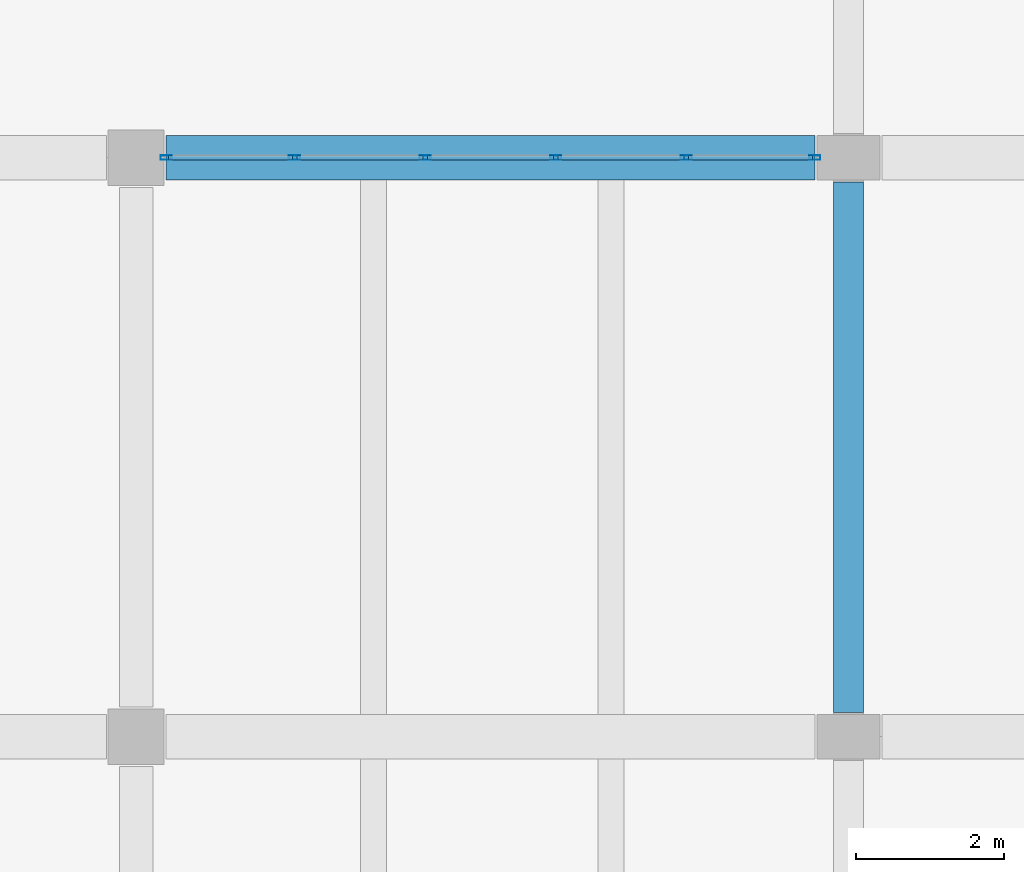
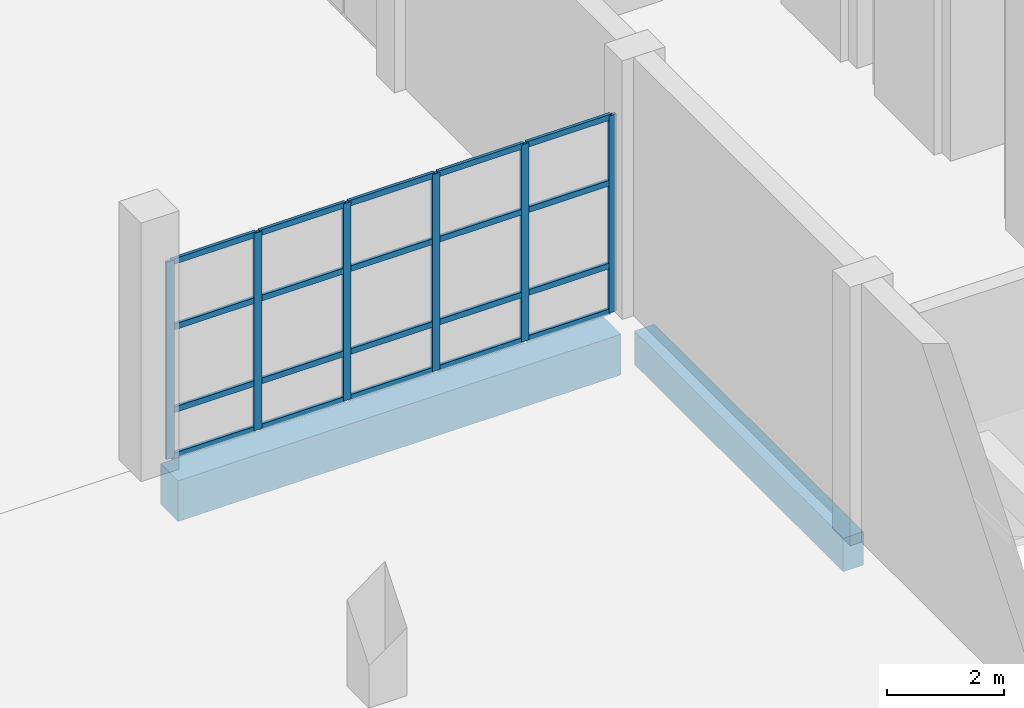
# One storey, part 34 of 78: 26 members, 2 beams, 1 element without a shape of its own.
"""IFC4 building model written with IfcOpenShell, lengths in metres."""

import ifcopenshell
import ifcopenshell.guid

model = None  # the IFC model being written
_history = None  # IfcOwnerHistory: only IFC2X3 demands one
_inside = {}  # id of a spatial element -> (the spatial element, [elements in it])
_under = {}  # id of a project, library or spatial element -> (it, [spatial elements below it])
_declared = {}  # id of a project -> (the project, [libraries it declares])
_typed = {}  # id of a type object -> (the type object, [elements of that type])
_made_of = {}  # id of a material, layer set ... -> (it, [elements and type objects made of it])


def new_model(schema):
    """Start an empty IFC model of exactly this schema.

    Asked for "IFC4X3", IfcOpenShell would pick the latest addendum, in which some entities
    have other attributes; the version numbers below select the first issue.
    IFC2X3 requires an IfcOwnerHistory on every rooted entity: one is made here for all.
    """
    global model, _history
    if schema == "IFC4X3":
        model = ifcopenshell.file(schema_version=(4, 3, 0, 0))
    else:
        model = ifcopenshell.file(schema=schema)
    _inside.clear()
    _under.clear()
    _declared.clear()
    _typed.clear()
    _made_of.clear()
    _history = None
    if model.schema == "IFC2X3":
        org = make("IfcOrganization", Name="unknown")
        user = make(
            "IfcPersonAndOrganization",
            ThePerson=make("IfcPerson", FamilyName="unknown"),
            TheOrganization=org,
        )
        app = make(
            "IfcApplication",
            ApplicationDeveloper=org,
            Version="unknown",
            ApplicationFullName="unknown",
            ApplicationIdentifier="unknown",
        )
        _history = make(
            "IfcOwnerHistory",
            OwningUser=user,
            OwningApplication=app,
            ChangeAction="ADDED",
            CreationDate=0,
        )
    return model


def make(cls, **values):
    """One entity of the class cls with the attributes given. An attribute that is None is left unset."""
    return model.create_entity(
        cls, **{name: value for name, value in values.items() if value is not None}
    )


def rooted(cls, **values):
    """An entity with a GlobalId (a new one), such as an element, a storey or a relation."""
    return make(cls, GlobalId=ifcopenshell.guid.new(), OwnerHistory=_history, **values)


def si_unit(unit_type, name, prefix=None):
    """IfcSIUnit, for example si_unit("LENGTHUNIT", "METRE", prefix="MILLI")."""
    return make("IfcSIUnit", UnitType=unit_type, Prefix=prefix, Name=name)


def assignment(units):
    """IfcUnitAssignment: the units of a project."""
    return None if units is None else make("IfcUnitAssignment", Units=units)


def point(xyz):
    """IfcCartesianPoint."""
    return None if xyz is None else make("IfcCartesianPoint", Coordinates=xyz)


def direction(xyz):
    """IfcDirection."""
    return None if xyz is None else make("IfcDirection", DirectionRatios=xyz)


def frame(location, z_axis=None, x_axis=None):
    """IfcAxis2Placement3D, a coordinate frame: its origin and axes. An axis left out is left unset."""
    return make(
        "IfcAxis2Placement3D",
        Location=point(location),
        Axis=direction(z_axis),
        RefDirection=direction(x_axis),
    )


def frame_2d(location, x_axis=None):
    """IfcAxis2Placement2D, a coordinate frame in the plane: its origin and x axis."""
    return make(
        "IfcAxis2Placement2D", Location=point(location), RefDirection=direction(x_axis)
    )


def origin():
    """The frame at (0, 0, 0) with its axes left unset."""
    return frame((0.0, 0.0, 0.0))


def origin_2d():
    """The frame at (0, 0) in the plane with its x axis left unset."""
    return frame_2d((0.0, 0.0))


def place(relative_to, where):
    """IfcLocalPlacement: puts the frame where relative to a parent placement (None: the world)."""
    return make(
        "IfcLocalPlacement", PlacementRelTo=relative_to, RelativePlacement=where
    )


def context(
    kind, dimensions, precision=None, world=None, true_north=None, identifier=None
):
    """IfcGeometricRepresentationContext, for example the 3D "Model" context."""
    return make(
        "IfcGeometricRepresentationContext",
        ContextIdentifier=identifier,
        ContextType=kind,
        CoordinateSpaceDimension=dimensions,
        Precision=precision,
        WorldCoordinateSystem=world,
        TrueNorth=true_north,
    )


def subcontext(parent, identifier, kind, view, scale=None):
    """IfcGeometricRepresentationSubContext, for example "Body" below "Model"."""
    return make(
        "IfcGeometricRepresentationSubContext",
        ContextIdentifier=identifier,
        ContextType=kind,
        ParentContext=parent,
        TargetScale=scale,
        TargetView=view,
    )


def project(units=None, contexts=None):
    """IfcProject with its units and contexts."""
    return rooted(
        "IfcProject",
        Name="project",
        RepresentationContexts=contexts,
        UnitsInContext=assignment(units),
    )


def spatial(cls, under=None, at=None, **own):
    """A site, building, storey or space (cls), placed at a placement, below another one or the project."""
    s = rooted(cls, ObjectPlacement=at, **own)
    if under is not None:
        _under.setdefault(under.id(), (under, []))[1].append(s)
    return s


def profile(cls, at=None, kind="AREA", **sizes):
    """A parametric profile (cls). Its sizes go by their IFC names, for example OverallWidth=200.0."""
    return make(cls, ProfileType=kind, Position=at, **sizes)


def rectangle(**sizes):
    """IfcRectangleProfileDef."""
    return profile("IfcRectangleProfileDef", **sizes)


def hollow_rectangle(**sizes):
    """IfcRectangleHollowProfileDef."""
    return profile("IfcRectangleHollowProfileDef", **sizes)


def extrude(swept, where, along, depth):
    """IfcExtrudedAreaSolid: the profile swept, set in the frame where, extruded along a direction by depth."""
    return make(
        "IfcExtrudedAreaSolid",
        SweptArea=swept,
        Position=where,
        ExtrudedDirection=direction(along),
        Depth=depth,
    )


def shape(context_of_items, identifier, shape_type, items):
    """IfcShapeRepresentation: the items that make up one representation, for example the "Body"."""
    return make(
        "IfcShapeRepresentation",
        ContextOfItems=context_of_items,
        RepresentationIdentifier=identifier,
        RepresentationType=shape_type,
        Items=items,
    )


def material(Name=None, Category=None):
    """IfcMaterial."""
    return make("IfcMaterial", Name=Name, Category=Category)


def material_profile(
    of_material, cross_section, Name=None, Category=None, Priority=None
):
    """IfcMaterialProfile: a cross section and its material."""
    return make(
        "IfcMaterialProfile",
        Name=Name,
        Material=of_material,
        Profile=cross_section,
        Priority=Priority,
        Category=Category,
    )


def profile_set(profiles, Name=None, composite=None):
    """IfcMaterialProfileSet."""
    return make(
        "IfcMaterialProfileSet",
        Name=Name,
        MaterialProfiles=profiles,
        CompositeProfile=composite,
    )


def made_of(thing, what):
    """Note that an element or type object is made of a material, layer set ...; save() writes the relation."""
    if what is not None:
        _made_of.setdefault(what.id(), (what, []))[1].append(thing)
    return thing


def type_object(cls, material=None, **own):
    """A type object (cls), such as IfcWallType, which elements share."""
    return made_of(rooted(cls, **own), material)


def element(
    cls,
    number,
    at=None,
    inside=None,
    cuts=None,
    type_object=None,
    material=None,
    context=None,
    identifier="Body",
    shape_type=None,
    held_by="IfcProductDefinitionShape",
    body=None,
    shapes=None,
    **own,
):
    """One element of the class cls, such as IfcWall. Its Tag is "e" and its number.

    at: its placement. inside: the storey or other place that contains it. cuts: it is an
    opening in that element (IfcRelVoidsElement). A single representation is given by context,
    identifier, shape_type and body (its items); several are given by shapes. held_by: the class
    of the entity that holds the representations. save() writes the other relations.
    """
    e = rooted(cls, Tag="e%d" % number, ObjectPlacement=at, **own)
    if body is not None:
        shapes = [shape(context, identifier, shape_type, body)]
    if shapes is not None:
        e.Representation = make(held_by, Representations=shapes)
    if inside is not None:
        _inside.setdefault(inside.id(), (inside, []))[1].append(e)
    if cuts is not None:
        rooted(
            "IfcRelVoidsElement", RelatingBuildingElement=cuts, RelatedOpeningElement=e
        )
    if type_object is not None:
        _typed.setdefault(type_object.id(), (type_object, []))[1].append(e)
    return made_of(e, material)


def aggregate(whole, parts):
    """IfcRelAggregates: a whole, such as a stair, and the parts it consists of."""
    return rooted("IfcRelAggregates", RelatingObject=whole, RelatedObjects=parts)


def save(model, path):
    """Write the relations noted so far, then the file.

    IfcRelAggregates (storeys below a building ...), IfcRelContainedInSpatialStructure (elements
    in a storey), IfcRelDefinesByType, IfcRelAssociatesMaterial and IfcRelDeclares: one each for
    every whole, place, type object, material and project.
    """
    for whole, parts in _under.values():
        aggregate(whole, parts)
    for where, things in _inside.values():
        rooted(
            "IfcRelContainedInSpatialStructure",
            RelatedElements=things,
            RelatingStructure=where,
        )
    for kind, things in _typed.values():
        rooted("IfcRelDefinesByType", RelatedObjects=things, RelatingType=kind)
    for what, things in _made_of.values():
        rooted("IfcRelAssociatesMaterial", RelatedObjects=things, RelatingMaterial=what)
    for by, libraries in _declared.values():
        rooted("IfcRelDeclares", RelatingContext=by, RelatedDefinitions=libraries)
    model.write(path)


model = new_model("IFC4")

# Units and contexts
model_context = context("Model", 3, precision=1e-05, world=origin(), true_north=direction((0.0, 1.0)))
body_context = subcontext(model_context, "Body", "Model", "MODEL_VIEW")
ifc_project = project(units=[si_unit("LENGTHUNIT", "METRE"), si_unit("AREAUNIT", "SQUARE_METRE"), si_unit("VOLUMEUNIT", "CUBIC_METRE"), si_unit("PLANEANGLEUNIT", "RADIAN"), si_unit("MASSUNIT", "GRAM", prefix="KILO")], contexts=[model_context])

# Site, building, storey
site_placement = place(None, origin())
site = spatial("IfcSite", under=ifc_project, at=site_placement, CompositionType="ELEMENT")
building_placement = place(site_placement, origin())
building = spatial("IfcBuilding", under=site, at=building_placement, Name="Pellamere Symphony Hall", CompositionType="ELEMENT")
storey_placement = place(building_placement, origin())
storey = spatial("IfcBuildingStorey", under=building, at=storey_placement, Name="L00", CompositionType="ELEMENT", Elevation=0.0)

# Curtain wall, members
ifc_material_1 = material(Name="Thermally Broken Anodised Aluminium 6063-T6 Curtain Wall", Category="aluminium")
curtain_wall_type = type_object("IfcCurtainWallType", Name="Curtain Wall CW-03 (Sculpture Court Glazed Link Curtain Wall)", PredefinedType="NOTDEFINED", material=ifc_material_1)
curtain_wall_placement = place(storey_placement, origin())
curtain_wall = element("IfcCurtainWall", 1, at=curtain_wall_placement, inside=storey, type_object=curtain_wall_type, Name="Sculpture Court Link Curtain Wall (L00 Bay 2)", PredefinedType="NOTDEFINED")
ifc_material_2 = material(Name="Anodised Architectural Aluminium 6063-T6", Category="aluminium")
ifc_material_profile_1 = material_profile(ifc_material_2, hollow_rectangle(XDim=0.06005859375, YDim=0.14990234375, WallThickness=0.00390625, at=origin_2d()), Name="ALU-M60X150X4")
ifc_profile_set_1 = profile_set([ifc_material_profile_1], Name="Anodised Architectural Aluminium 6063-T6")
member_type_1 = type_object("IfcMemberType", Name="Curtain Wall Mullion ML-03 ALU-M60X150X4", PredefinedType="MULLION", material=ifc_profile_set_1)
member_1_placement = place(storey_placement, frame((128.804931640625, 54.0, 0.0), z_axis=(0.0, 0.0, 1.0), x_axis=(0.0, 1.0, 0.0)))
member_1 = element("IfcMember", 2, at=member_1_placement, type_object=member_type_1, Name="CW3-102 crystal mullion 1", PredefinedType="MULLION", context=body_context, shape_type="SweptSolid", body=[
    extrude(hollow_rectangle(XDim=0.06005859375, YDim=0.14990234375, WallThickness=0.00390625, at=origin_2d()), origin(), (0.0, 0.0, 1.0), 4.1201171875),
])
member_2_placement = place(storey_placement, frame((130.534912109375, 54.0, 0.0), z_axis=(0.0, 0.0, 1.0), x_axis=(0.0, 1.0, 0.0)))
member_2 = element("IfcMember", 3, at=member_2_placement, type_object=member_type_1, Name="CW3-102 crystal mullion 2", PredefinedType="MULLION", context=body_context, shape_type="SweptSolid", body=[
    extrude(hollow_rectangle(XDim=0.06005859375, YDim=0.14990234375, WallThickness=0.00390625, at=origin_2d()), origin(), (0.0, 0.0, 1.0), 4.1201171875),
])
member_3_placement = place(storey_placement, frame((132.294921875, 54.0, 0.0), z_axis=(0.0, 0.0, 1.0), x_axis=(0.0, 1.0, 0.0)))
member_3 = element("IfcMember", 4, at=member_3_placement, type_object=member_type_1, Name="CW3-102 crystal mullion 3", PredefinedType="MULLION", context=body_context, shape_type="SweptSolid", body=[
    extrude(hollow_rectangle(XDim=0.06005859375, YDim=0.14990234375, WallThickness=0.00390625, at=origin_2d()), origin(), (0.0, 0.0, 1.0), 4.1201171875),
])
member_4_placement = place(storey_placement, frame((134.054931640625, 54.0, 0.0), z_axis=(0.0, 0.0, 1.0), x_axis=(0.0, 1.0, 0.0)))
member_4 = element("IfcMember", 5, at=member_4_placement, type_object=member_type_1, Name="CW3-102 crystal mullion 4", PredefinedType="MULLION", context=body_context, shape_type="SweptSolid", body=[
    extrude(hollow_rectangle(XDim=0.06005859375, YDim=0.14990234375, WallThickness=0.00390625, at=origin_2d()), origin(), (0.0, 0.0, 1.0), 4.1201171875),
])
member_5_placement = place(storey_placement, frame((135.81494140625, 54.0, 0.0), z_axis=(0.0, 0.0, 1.0), x_axis=(0.0, 1.0, 0.0)))
member_5 = element("IfcMember", 6, at=member_5_placement, type_object=member_type_1, Name="CW3-102 crystal mullion 5", PredefinedType="MULLION", context=body_context, shape_type="SweptSolid", body=[
    extrude(hollow_rectangle(XDim=0.06005859375, YDim=0.14990234375, WallThickness=0.00390625, at=origin_2d()), origin(), (0.0, 0.0, 1.0), 4.1201171875),
])
member_6_placement = place(storey_placement, frame((137.544921875, 54.0, 0.0), z_axis=(0.0, 0.0, 1.0), x_axis=(0.0, 1.0, 0.0)))
member_6 = element("IfcMember", 7, at=member_6_placement, type_object=member_type_1, Name="CW3-102 crystal mullion 6", PredefinedType="MULLION", context=body_context, shape_type="SweptSolid", body=[
    extrude(hollow_rectangle(XDim=0.06005859375, YDim=0.14990234375, WallThickness=0.00390625, at=origin_2d()), origin(), (0.0, 0.0, 1.0), 4.1201171875),
])
ifc_material_profile_2 = material_profile(ifc_material_2, hollow_rectangle(XDim=0.06005859375, YDim=0.1201171875, WallThickness=0.00390625, at=origin_2d()), Name="ALU-T60X120X4")
ifc_profile_set_2 = profile_set([ifc_material_profile_2], Name="Anodised Architectural Aluminium 6063-T6")
member_type_2 = type_object("IfcMemberType", Name="Curtain Wall Transom TR-03 ALU-T60X120X4", PredefinedType="USERDEFINED", material=ifc_profile_set_2)
member_7_placement = place(storey_placement, frame((128.8349609375, 54.0, 0.030029296875), z_axis=(1.0, 0.0, 0.0), x_axis=(0.0, 1.0, 0.0)))
member_7 = element("IfcMember", 8, at=member_7_placement, type_object=member_type_2, Name="CW3-102 crystal transom 1.1", ObjectType="TRANSOM", PredefinedType="USERDEFINED", context=body_context, shape_type="SweptSolid", body=[
    extrude(hollow_rectangle(XDim=0.06005859375, YDim=0.1201171875, WallThickness=0.00390625, at=origin_2d()), origin(), (0.0, 0.0, 1.0), 1.669921875),
])
member_8_placement = place(storey_placement, frame((128.8349609375, 54.0, 0.98876953125), z_axis=(1.0, 0.0, 0.0), x_axis=(0.0, 1.0, 0.0)))
member_8 = element("IfcMember", 9, at=member_8_placement, type_object=member_type_2, Name="CW3-102 crystal transom 1.2", ObjectType="TRANSOM", PredefinedType="USERDEFINED", context=body_context, shape_type="SweptSolid", body=[
    extrude(hollow_rectangle(XDim=0.06005859375, YDim=0.1201171875, WallThickness=0.00390625, at=origin_2d()), origin(), (0.0, 0.0, 1.0), 1.669921875),
])
member_9_placement = place(storey_placement, frame((128.8349609375, 54.0, 2.71923828125), z_axis=(1.0, 0.0, 0.0), x_axis=(0.0, 1.0, 0.0)))
member_9 = element("IfcMember", 10, at=member_9_placement, type_object=member_type_2, Name="CW3-102 crystal transom 1.3", ObjectType="TRANSOM", PredefinedType="USERDEFINED", context=body_context, shape_type="SweptSolid", body=[
    extrude(hollow_rectangle(XDim=0.06005859375, YDim=0.1201171875, WallThickness=0.00390625, at=origin_2d()), origin(), (0.0, 0.0, 1.0), 1.669921875),
])
member_10_placement = place(storey_placement, frame((128.8349609375, 54.0, 4.090087890625), z_axis=(1.0, 0.0, 0.0), x_axis=(0.0, 1.0, 0.0)))
member_10 = element("IfcMember", 11, at=member_10_placement, type_object=member_type_2, Name="CW3-102 crystal transom 1.4", ObjectType="TRANSOM", PredefinedType="USERDEFINED", context=body_context, shape_type="SweptSolid", body=[
    extrude(hollow_rectangle(XDim=0.06005859375, YDim=0.1201171875, WallThickness=0.00390625, at=origin_2d()), origin(), (0.0, 0.0, 1.0), 1.669921875),
])
member_11_placement = place(storey_placement, frame((130.56494140625, 54.0, 0.030029296875), z_axis=(1.0, 0.0, 0.0), x_axis=(0.0, 1.0, 0.0)))
member_11 = element("IfcMember", 12, at=member_11_placement, type_object=member_type_2, Name="CW3-102 crystal transom 2.1", ObjectType="TRANSOM", PredefinedType="USERDEFINED", context=body_context, shape_type="SweptSolid", body=[
    extrude(hollow_rectangle(XDim=0.06005859375, YDim=0.1201171875, WallThickness=0.00390625, at=origin_2d()), origin(), (0.0, 0.0, 1.0), 1.699951171875),
])
member_12_placement = place(storey_placement, frame((130.56494140625, 54.0, 0.98876953125), z_axis=(1.0, 0.0, 0.0), x_axis=(0.0, 1.0, 0.0)))
member_12 = element("IfcMember", 13, at=member_12_placement, type_object=member_type_2, Name="CW3-102 crystal transom 2.2", ObjectType="TRANSOM", PredefinedType="USERDEFINED", context=body_context, shape_type="SweptSolid", body=[
    extrude(hollow_rectangle(XDim=0.06005859375, YDim=0.1201171875, WallThickness=0.00390625, at=origin_2d()), origin(), (0.0, 0.0, 1.0), 1.699951171875),
])
member_13_placement = place(storey_placement, frame((130.56494140625, 54.0, 2.71923828125), z_axis=(1.0, 0.0, 0.0), x_axis=(0.0, 1.0, 0.0)))
member_13 = element("IfcMember", 14, at=member_13_placement, type_object=member_type_2, Name="CW3-102 crystal transom 2.3", ObjectType="TRANSOM", PredefinedType="USERDEFINED", context=body_context, shape_type="SweptSolid", body=[
    extrude(hollow_rectangle(XDim=0.06005859375, YDim=0.1201171875, WallThickness=0.00390625, at=origin_2d()), origin(), (0.0, 0.0, 1.0), 1.699951171875),
])
member_14_placement = place(storey_placement, frame((130.56494140625, 54.0, 4.090087890625), z_axis=(1.0, 0.0, 0.0), x_axis=(0.0, 1.0, 0.0)))
member_14 = element("IfcMember", 15, at=member_14_placement, type_object=member_type_2, Name="CW3-102 crystal transom 2.4", ObjectType="TRANSOM", PredefinedType="USERDEFINED", context=body_context, shape_type="SweptSolid", body=[
    extrude(hollow_rectangle(XDim=0.06005859375, YDim=0.1201171875, WallThickness=0.00390625, at=origin_2d()), origin(), (0.0, 0.0, 1.0), 1.699951171875),
])
member_15_placement = place(storey_placement, frame((132.324951171875, 54.0, 0.030029296875), z_axis=(1.0, 0.0, 0.0), x_axis=(0.0, 1.0, 0.0)))
member_15 = element("IfcMember", 16, at=member_15_placement, type_object=member_type_2, Name="CW3-102 crystal transom 3.1", ObjectType="TRANSOM", PredefinedType="USERDEFINED", context=body_context, shape_type="SweptSolid", body=[
    extrude(hollow_rectangle(XDim=0.06005859375, YDim=0.1201171875, WallThickness=0.00390625, at=origin_2d()), origin(), (0.0, 0.0, 1.0), 1.699951171875),
])
member_16_placement = place(storey_placement, frame((132.324951171875, 54.0, 0.98876953125), z_axis=(1.0, 0.0, 0.0), x_axis=(0.0, 1.0, 0.0)))
member_16 = element("IfcMember", 17, at=member_16_placement, type_object=member_type_2, Name="CW3-102 crystal transom 3.2", ObjectType="TRANSOM", PredefinedType="USERDEFINED", context=body_context, shape_type="SweptSolid", body=[
    extrude(hollow_rectangle(XDim=0.06005859375, YDim=0.1201171875, WallThickness=0.00390625, at=origin_2d()), origin(), (0.0, 0.0, 1.0), 1.699951171875),
])
member_17_placement = place(storey_placement, frame((132.324951171875, 54.0, 2.71923828125), z_axis=(1.0, 0.0, 0.0), x_axis=(0.0, 1.0, 0.0)))
member_17 = element("IfcMember", 18, at=member_17_placement, type_object=member_type_2, Name="CW3-102 crystal transom 3.3", ObjectType="TRANSOM", PredefinedType="USERDEFINED", context=body_context, shape_type="SweptSolid", body=[
    extrude(hollow_rectangle(XDim=0.06005859375, YDim=0.1201171875, WallThickness=0.00390625, at=origin_2d()), origin(), (0.0, 0.0, 1.0), 1.699951171875),
])
member_18_placement = place(storey_placement, frame((132.324951171875, 54.0, 4.090087890625), z_axis=(1.0, 0.0, 0.0), x_axis=(0.0, 1.0, 0.0)))
member_18 = element("IfcMember", 19, at=member_18_placement, type_object=member_type_2, Name="CW3-102 crystal transom 3.4", ObjectType="TRANSOM", PredefinedType="USERDEFINED", context=body_context, shape_type="SweptSolid", body=[
    extrude(hollow_rectangle(XDim=0.06005859375, YDim=0.1201171875, WallThickness=0.00390625, at=origin_2d()), origin(), (0.0, 0.0, 1.0), 1.699951171875),
])
member_19_placement = place(storey_placement, frame((134.0849609375, 54.0, 0.030029296875), z_axis=(1.0, 0.0, 0.0), x_axis=(0.0, 1.0, 0.0)))
member_19 = element("IfcMember", 20, at=member_19_placement, type_object=member_type_2, Name="CW3-102 crystal transom 4.1", ObjectType="TRANSOM", PredefinedType="USERDEFINED", context=body_context, shape_type="SweptSolid", body=[
    extrude(hollow_rectangle(XDim=0.06005859375, YDim=0.1201171875, WallThickness=0.00390625, at=origin_2d()), origin(), (0.0, 0.0, 1.0), 1.699951171875),
])
member_20_placement = place(storey_placement, frame((134.0849609375, 54.0, 0.98876953125), z_axis=(1.0, 0.0, 0.0), x_axis=(0.0, 1.0, 0.0)))
member_20 = element("IfcMember", 21, at=member_20_placement, type_object=member_type_2, Name="CW3-102 crystal transom 4.2", ObjectType="TRANSOM", PredefinedType="USERDEFINED", context=body_context, shape_type="SweptSolid", body=[
    extrude(hollow_rectangle(XDim=0.06005859375, YDim=0.1201171875, WallThickness=0.00390625, at=origin_2d()), origin(), (0.0, 0.0, 1.0), 1.699951171875),
])
member_21_placement = place(storey_placement, frame((134.0849609375, 54.0, 2.71923828125), z_axis=(1.0, 0.0, 0.0), x_axis=(0.0, 1.0, 0.0)))
member_21 = element("IfcMember", 22, at=member_21_placement, type_object=member_type_2, Name="CW3-102 crystal transom 4.3", ObjectType="TRANSOM", PredefinedType="USERDEFINED", context=body_context, shape_type="SweptSolid", body=[
    extrude(hollow_rectangle(XDim=0.06005859375, YDim=0.1201171875, WallThickness=0.00390625, at=origin_2d()), origin(), (0.0, 0.0, 1.0), 1.699951171875),
])
member_22_placement = place(storey_placement, frame((134.0849609375, 54.0, 4.090087890625), z_axis=(1.0, 0.0, 0.0), x_axis=(0.0, 1.0, 0.0)))
member_22 = element("IfcMember", 23, at=member_22_placement, type_object=member_type_2, Name="CW3-102 crystal transom 4.4", ObjectType="TRANSOM", PredefinedType="USERDEFINED", context=body_context, shape_type="SweptSolid", body=[
    extrude(hollow_rectangle(XDim=0.06005859375, YDim=0.1201171875, WallThickness=0.00390625, at=origin_2d()), origin(), (0.0, 0.0, 1.0), 1.699951171875),
])
member_23_placement = place(storey_placement, frame((135.844970703125, 54.0, 0.030029296875), z_axis=(1.0, 0.0, 0.0), x_axis=(0.0, 1.0, 0.0)))
member_23 = element("IfcMember", 24, at=member_23_placement, type_object=member_type_2, Name="CW3-102 crystal transom 5.1", ObjectType="TRANSOM", PredefinedType="USERDEFINED", context=body_context, shape_type="SweptSolid", body=[
    extrude(hollow_rectangle(XDim=0.06005859375, YDim=0.1201171875, WallThickness=0.00390625, at=origin_2d()), origin(), (0.0, 0.0, 1.0), 1.669921875),
])
member_24_placement = place(storey_placement, frame((135.844970703125, 54.0, 0.98876953125), z_axis=(1.0, 0.0, 0.0), x_axis=(0.0, 1.0, 0.0)))
member_24 = element("IfcMember", 25, at=member_24_placement, type_object=member_type_2, Name="CW3-102 crystal transom 5.2", ObjectType="TRANSOM", PredefinedType="USERDEFINED", context=body_context, shape_type="SweptSolid", body=[
    extrude(hollow_rectangle(XDim=0.06005859375, YDim=0.1201171875, WallThickness=0.00390625, at=origin_2d()), origin(), (0.0, 0.0, 1.0), 1.669921875),
])
member_25_placement = place(storey_placement, frame((135.844970703125, 54.0, 2.71923828125), z_axis=(1.0, 0.0, 0.0), x_axis=(0.0, 1.0, 0.0)))
member_25 = element("IfcMember", 26, at=member_25_placement, type_object=member_type_2, Name="CW3-102 crystal transom 5.3", ObjectType="TRANSOM", PredefinedType="USERDEFINED", context=body_context, shape_type="SweptSolid", body=[
    extrude(hollow_rectangle(XDim=0.06005859375, YDim=0.1201171875, WallThickness=0.00390625, at=origin_2d()), origin(), (0.0, 0.0, 1.0), 1.669921875),
])
member_26_placement = place(storey_placement, frame((135.844970703125, 54.0, 4.090087890625), z_axis=(1.0, 0.0, 0.0), x_axis=(0.0, 1.0, 0.0)))
member_26 = element("IfcMember", 27, at=member_26_placement, type_object=member_type_2, Name="CW3-102 crystal transom 5.4", ObjectType="TRANSOM", PredefinedType="USERDEFINED", context=body_context, shape_type="SweptSolid", body=[
    extrude(hollow_rectangle(XDim=0.06005859375, YDim=0.1201171875, WallThickness=0.00390625, at=origin_2d()), origin(), (0.0, 0.0, 1.0), 1.669921875),
])
aggregate(curtain_wall, [member_1, member_2, member_3, member_4, member_5, member_6, member_7, member_8, member_9, member_10, member_11, member_12, member_13, member_14, member_15, member_16, member_17, member_18, member_19, member_20, member_21, member_22, member_23, member_24, member_25, member_26])

# Beams
ifc_material_3 = material(Name="Concrete 40 MPa", Category="concrete")
ifc_material_profile_3 = material_profile(ifc_material_3, rectangle(XDim=0.60009765625, YDim=0.85009765625, at=origin_2d()), Name="RC 600x850")
ifc_profile_set_3 = profile_set([ifc_material_profile_3], Name="Concrete 40 MPa")
beam_type_1 = type_object("IfcBeamType", Name="RC CB-04 600x850", PredefinedType="BEAM", material=ifc_profile_set_3)
beam_1_placement = place(storey_placement, frame((128.800048828125, 54.0, -0.72509765625), z_axis=(1.0, 0.0, 0.0), x_axis=(0.0, 1.0, 0.0)))
element("IfcBeam", 28, at=beam_1_placement, inside=storey, type_object=beam_type_1, Name="Girder CB-04-X0119 (L00)", PredefinedType="BEAM", context=body_context, shape_type="SweptSolid", body=[
    extrude(rectangle(XDim=0.60009765625, YDim=0.85009765625, at=origin_2d()), origin(), (0.0, 0.0, 1.0), 8.75),
])
ifc_material_profile_4 = material_profile(ifc_material_3, rectangle(XDim=0.39990234375, YDim=0.699951171875, at=origin_2d()), Name="RC 400x700")
ifc_profile_set_4 = profile_set([ifc_material_profile_4], Name="Concrete 40 MPa")
beam_type_2 = type_object("IfcBeamType", Name="RC CB-13 400x700", PredefinedType="SPANDREL", material=ifc_profile_set_4)
beam_2_placement = place(storey_placement, frame((138.0, 46.52490234375, -0.64990234375), z_axis=(0.0, 1.0, 0.0), x_axis=(-1.0, 0.0, 0.0)))
element("IfcBeam", 29, at=beam_2_placement, inside=storey, type_object=beam_type_2, Name="Girder CB-13-Y0339 (L00)", PredefinedType="SPANDREL", context=body_context, shape_type="SweptSolid", body=[
    extrude(rectangle(XDim=0.39990234375, YDim=0.699951171875, at=origin_2d()), origin(), (0.0, 0.0, 1.0), 7.150146484375),
])

save(model, "model.ifc")
